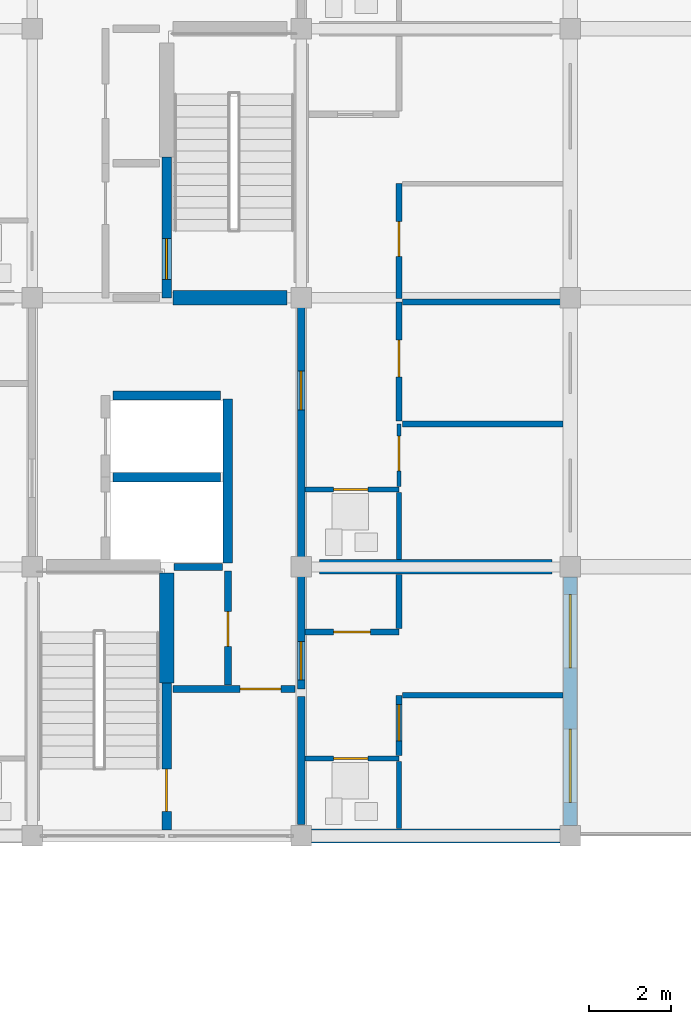
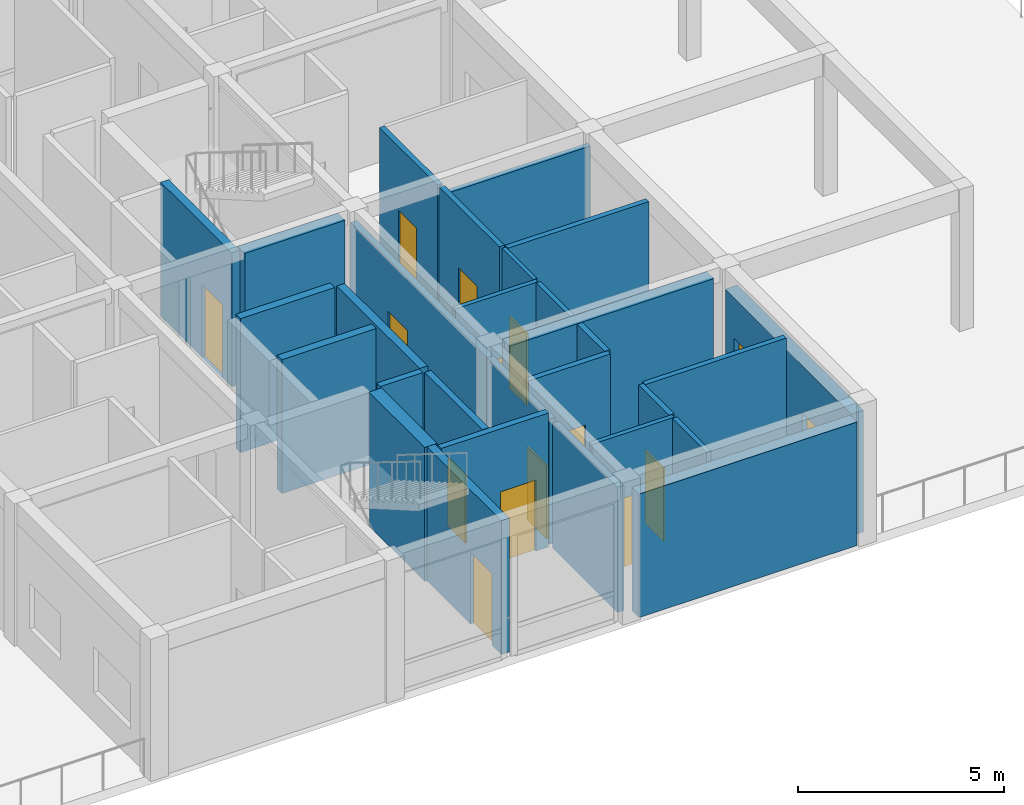
# One storey, part 77 of 92: 29 walls, 13 doors, 2 windows, 15 openings.
"""IFC4 building model written with IfcOpenShell, lengths in metres."""

from ifc_helpers import new_model, si_unit, direction, frame, frame_2d, origin, place, context, subcontext, project, spatial, rectangle, extrude, material, layer, layer_set, type_object, element, fill, save


model = new_model("IFC4")

# Units and contexts
model_context = context("Model", 3, precision=1e-05, world=origin(), true_north=direction((0.0, 1.0)))
body_context = subcontext(model_context, "Body", "Model", "MODEL_VIEW")
ifc_project = project(units=[si_unit("LENGTHUNIT", "METRE"), si_unit("AREAUNIT", "SQUARE_METRE"), si_unit("VOLUMEUNIT", "CUBIC_METRE"), si_unit("PLANEANGLEUNIT", "RADIAN"), si_unit("MASSUNIT", "GRAM", prefix="KILO")], contexts=[model_context])

# Site, building, storey
site_placement = place(None, origin())
site = spatial("IfcSite", under=ifc_project, at=site_placement, CompositionType="ELEMENT")
building_placement = place(site_placement, origin())
building = spatial("IfcBuilding", under=site, at=building_placement, Name="Kernevlak Ridge Housing Community", CompositionType="ELEMENT")
storey_placement = place(building_placement, frame((0.0, 0.0, 4.199951171875)))
storey = spatial("IfcBuildingStorey", under=building, at=storey_placement, Name="L01", CompositionType="ELEMENT", Elevation=4.199951171875)

# Wall, openings, windows
ifc_material_1 = material(Name="Concrete block masonry M10", Category="masonry")
ifc_layer_1 = layer(ifc_material_1, 0.340087890625, Name="Concrete block masonry M10")
ifc_layer_set_1 = layer_set([ifc_layer_1], Name="Concrete block masonry M10")
wall_type_1 = type_object("IfcWallType", Name="EW-04", PredefinedType="STANDARD", material=ifc_layer_set_1)
wall_1_placement = place(storey_placement, frame((145.800048828125, 15.85009765625, 0.0), z_axis=(0.0, 0.0, 1.0), x_axis=(0.0, 1.0, 0.0)))
wall_1 = element("IfcWall", 1, at=wall_1_placement, inside=storey, type_object=wall_type_1, Name="Exterior wall EW-04 L01 550", PredefinedType="STANDARD", context=body_context, shape_type="SweptSolid", body=[
    extrude(rectangle(XDim=6.099853515625, YDim=0.340087890625, at=frame_2d((3.0498046875, 0.0))), origin(), (0.0, 0.0, 1.0), 3.60009765625),
])
opening_1_placement = place(wall_1_placement, frame((0.574951171875, 0.0, 0.85009765625)))
opening_1 = element("IfcOpeningElement", 2, at=opening_1_placement, cuts=wall_1, Name="Opening WT-03", PredefinedType="OPENING", context=body_context, shape_type="SweptSolid", body=[
    extrude(rectangle(XDim=1.800048828125, YDim=1.35009765625, at=frame_2d((0.89990234375, 0.675048828125))), frame((0.0, 0.179931640625, 0.0), z_axis=(0.0, -1.0, 0.0), x_axis=(1.0, 0.0, 0.0)), (0.0, 0.0, 1.0), 0.360107421875),
])
opening_2_placement = place(wall_1_placement, frame((3.875, 0.0, 0.85009765625)))
opening_2 = element("IfcOpeningElement", 3, at=opening_2_placement, cuts=wall_1, Name="Opening WT-04", PredefinedType="OPENING", context=body_context, shape_type="SweptSolid", body=[
    extrude(rectangle(XDim=1.800048828125, YDim=1.550048828125, at=frame_2d((0.89990234375, 0.77490234375))), frame((0.0, 0.179931640625, 0.0), z_axis=(0.0, -1.0, 0.0), x_axis=(1.0, 0.0, 0.0)), (0.0, 0.0, 1.0), 0.360107421875),
])
ifc_material_2 = material(Name="Aluminium EN AW-6060 anodised and laminated glass", Category="aluminium")
window_type_1 = type_object("IfcWindowType", Name="WT-03", PartitioningType="SINGLE_PANEL", PredefinedType="WINDOW", material=ifc_material_2)
window_1_placement = place(opening_1_placement, origin())
window_1 = element("IfcWindow", 4, at=window_1_placement, inside=storey, type_object=window_type_1, Name="Window WT-03 L01 435", OverallHeight=1.35009765625, OverallWidth=1.800048828125, PartitioningType="SINGLE_PANEL", PredefinedType="WINDOW", context=body_context, shape_type="SweptSolid", body=[
    extrude(rectangle(XDim=1.800048828125, YDim=1.35009765625, at=frame_2d((0.89990234375, 0.675048828125))), frame((0.0, 0.030029296875, 0.0), z_axis=(0.0, -1.0, 0.0), x_axis=(1.0, 0.0, 0.0)), (0.0, 0.0, 1.0), 0.06005859375),
])
fill(opening_1, window_1)
window_type_2 = type_object("IfcWindowType", Name="WT-04", PartitioningType="SINGLE_PANEL", PredefinedType="WINDOW", material=ifc_material_2)
window_2_placement = place(opening_2_placement, origin())
window_2 = element("IfcWindow", 5, at=window_2_placement, inside=storey, type_object=window_type_2, Name="Window WT-04 L01 436", OverallHeight=1.550048828125, OverallWidth=1.800048828125, PartitioningType="SINGLE_PANEL", PredefinedType="WINDOW", context=body_context, shape_type="SweptSolid", body=[
    extrude(rectangle(XDim=1.800048828125, YDim=1.550048828125, at=frame_2d((0.89990234375, 0.77490234375))), frame((0.0, 0.030029296875, 0.0), z_axis=(0.0, -1.0, 0.0), x_axis=(1.0, 0.0, 0.0)), (0.0, 0.0, 1.0), 0.06005859375),
])
fill(opening_2, window_2)

# Wall
wall_2_placement = place(storey_placement, frame((139.449951171875, 15.60009765625, 0.0), z_axis=(0.0, 0.0, 1.0), x_axis=(1.0, 0.0, 0.0)))
element("IfcWall", 6, at=wall_2_placement, inside=storey, type_object=wall_type_1, Name="Exterior wall EW-04 L01 555", PredefinedType="STANDARD", context=body_context, shape_type="SweptSolid", body=[
    extrude(rectangle(XDim=6.10009765625, YDim=0.340087890625, at=frame_2d((3.050048828125, 0.0))), origin(), (0.0, 0.0, 1.0), 3.650146484375),
])

# Wall, opening, door
ifc_material_3 = material(Name="Concrete C35/45", Category="concrete")
ifc_layer_2 = layer(ifc_material_3, 0.22509765625, Name="Concrete C35/45")
ifc_layer_set_2 = layer_set([ifc_layer_2], Name="Concrete C35/45")
wall_type_2 = type_object("IfcWallType", Name="PW-01", PredefinedType="STANDARD", material=ifc_layer_set_2)
wall_3_placement = place(storey_placement, frame((135.89990234375, 15.75, 0.0), z_axis=(0.0, 0.0, 1.0), x_axis=(0.0, 1.0, 0.0)))
wall_3 = element("IfcWall", 7, at=wall_3_placement, inside=storey, type_object=wall_type_2, Name="Interior wall PW-01 WAL-INT-L01-2162", PredefinedType="STANDARD", context=body_context, shape_type="SweptSolid", body=[
    extrude(rectangle(XDim=3.60009765625, YDim=0.22509765625, at=frame_2d((1.800048828125, 0.0))), origin(), (0.0, 0.0, 1.0), 3.9599609375),
])
opening_3_placement = place(wall_3_placement, frame((0.449951171875, 0.0, 0.0)))
opening_3 = element("IfcOpeningElement", 8, at=opening_3_placement, cuts=wall_3, Name="Opening E097", PredefinedType="OPENING", context=body_context, shape_type="SweptSolid", body=[
    extrude(rectangle(XDim=1.0400390625, YDim=2.1201171875, at=frame_2d((0.52001953125, 1.06005859375))), frame((0.0, 0.12255859375, 0.0), z_axis=(0.0, -1.0, 0.0), x_axis=(1.0, 0.0, 0.0)), (0.0, 0.0, 1.0), 0.2451171875),
])
ifc_material_4 = material(Name="Fire-rated sheet steel leaf", Category="steel")
door_type_1 = type_object("IfcDoorType", Name="DT-16", OperationType="NOTDEFINED", PredefinedType="DOOR", material=ifc_material_4)
door_1_placement = place(opening_3_placement, origin())
door_1 = element("IfcDoor", 9, at=door_1_placement, inside=storey, type_object=door_type_1, Name="Block C Stair 1 fire door E097", OperationType="SINGLE_SWING_RIGHT", OverallHeight=2.1201171875, OverallWidth=1.0400390625, PredefinedType="DOOR", context=body_context, shape_type="SweptSolid", body=[
    extrude(rectangle(XDim=1.0400390625, YDim=2.1201171875, at=frame_2d((0.52001953125, 1.06005859375))), frame((0.0, 0.02490234375, 0.0), z_axis=(0.0, -1.0, 0.0), x_axis=(1.0, 0.0, 0.0)), (0.0, 0.0, 1.0), 0.050048828125),
])
fill(opening_3, door_1)

# Walls
wall_4_placement = place(storey_placement, frame((137.39990234375, 22.297607421875, 0.0), z_axis=(0.0, 0.0, 1.0), x_axis=(0.0, 1.0, 0.0)))
element("IfcWall", 10, at=wall_4_placement, inside=storey, type_object=wall_type_2, Name="Interior wall PW-01 WAL-INT-L01-2168", PredefinedType="STANDARD", context=body_context, shape_type="SweptSolid", body=[
    extrude(rectangle(XDim=4.0224609375, YDim=0.22509765625, at=frame_2d((2.01123046875, 0.0))), origin(), (0.0, 0.0, 1.0), 3.9599609375),
])
for number, where, z_axis, x_axis, name in (
    (11, (134.580078125, 24.39990234375, 0.0), (0.0, 0.0, 1.0), (1.0, 0.0, 0.0), "Interior wall PW-01 WAL-INT-L01-2170"),
    (12, (134.580078125, 26.39990234375, 0.0), (0.0, 0.0, 1.0), (1.0, 0.0, 0.0), "Interior wall PW-01 WAL-INT-L01-2171"),
):
    element("IfcWall", number, at=place(storey_placement, frame(where, z_axis=z_axis, x_axis=x_axis)), inside=storey, type_object=wall_type_2, Name=name, PredefinedType="STANDARD", context=body_context, shape_type="SweptSolid", body=[
        extrude(rectangle(XDim=2.639892578125, YDim=0.22509765625, at=frame_2d((1.31982421875, 0.0))), origin(), (0.0, 0.0, 1.0), 3.9599609375),
    ])

# Wall, opening, door
wall_5_placement = place(storey_placement, frame((135.89990234375, 28.800048828125, 0.0), z_axis=(0.0, 0.0, 1.0), x_axis=(0.0, 1.0, 0.0)))
wall_5 = element("IfcWall", 13, at=wall_5_placement, inside=storey, type_object=wall_type_2, Name="Interior wall PW-01 WAL-INT-L01-2172", PredefinedType="STANDARD", context=body_context, shape_type="SweptSolid", body=[
    extrude(rectangle(XDim=3.449951171875, YDim=0.22509765625, at=frame_2d((1.72509765625, 0.0))), origin(), (0.0, 0.0, 1.0), 3.9599609375),
])
opening_4_placement = place(wall_5_placement, frame((0.449951171875, 0.0, 0.0)))
opening_4 = element("IfcOpeningElement", 14, at=opening_4_placement, cuts=wall_5, Name="Opening E100", PredefinedType="OPENING", context=body_context, shape_type="SweptSolid", body=[
    extrude(rectangle(XDim=1.0, YDim=2.159912109375, at=frame_2d((0.5, 1.080078125))), frame((0.0, 0.12255859375, 0.0), z_axis=(0.0, -1.0, 0.0), x_axis=(1.0, 0.0, 0.0)), (0.0, 0.0, 1.0), 0.2451171875),
])
door_type_2 = type_object("IfcDoorType", Name="DT-15", OperationType="NOTDEFINED", PredefinedType="DOOR", material=ifc_material_4)
door_2_placement = place(opening_4_placement, origin())
door_2 = element("IfcDoor", 15, at=door_2_placement, inside=storey, type_object=door_type_2, Name="Block C Stair 2 fire door E100", OperationType="SINGLE_SWING_LEFT", OverallHeight=2.159912109375, OverallWidth=1.0, PredefinedType="DOOR", context=body_context, shape_type="SweptSolid", body=[
    extrude(rectangle(XDim=1.0, YDim=2.159912109375, at=frame_2d((0.5, 1.080078125))), frame((0.0, 0.02490234375, 0.0), z_axis=(0.0, -1.0, 0.0), x_axis=(1.0, 0.0, 0.0)), (0.0, 0.0, 1.0), 0.050048828125),
])
fill(opening_4, door_2)

ifc_layer_3 = layer(ifc_material_1, 0.175048828125, Name="Concrete block masonry M10")
ifc_layer_set_3 = layer_set([ifc_layer_3], Name="Concrete block masonry M10")
wall_type_3 = type_object("IfcWallType", Name="PW-02", PredefinedType="PARTITIONING", material=ifc_layer_set_3)
wall_6_placement = place(storey_placement, frame((136.050048828125, 19.199951171875, 0.0), z_axis=(0.0, 0.0, 1.0), x_axis=(1.0, 0.0, 0.0)))
wall_6 = element("IfcWall", 16, at=wall_6_placement, inside=storey, type_object=wall_type_3, Name="Interior wall PW-02 WAL-INT-L01-2163", PredefinedType="PARTITIONING", context=body_context, shape_type="SweptSolid", body=[
    extrude(rectangle(XDim=3.0, YDim=0.175048828125, at=frame_2d((1.5, 0.0))), origin(), (0.0, 0.0, 1.0), 3.9599609375),
])
opening_5_placement = place(wall_6_placement, frame((1.64990234375, 0.0, 0.0)))
opening_5 = element("IfcOpeningElement", 17, at=opening_5_placement, cuts=wall_6, Name="Opening E098", PredefinedType="OPENING", context=body_context, shape_type="SweptSolid", body=[
    extrude(rectangle(XDim=1.0, YDim=2.10009765625, at=frame_2d((0.5, 1.050048828125))), frame((0.0, 0.097412109375, 0.0), z_axis=(0.0, -1.0, 0.0), x_axis=(1.0, 0.0, 0.0)), (0.0, 0.0, 1.0), 0.195068359375),
])
door_type_3 = type_object("IfcDoorType", Name="DT-05", OperationType="NOTDEFINED", PredefinedType="DOOR", material=ifc_material_4)
door_3_placement = place(opening_5_placement, origin())
door_3 = element("IfcDoor", 18, at=door_3_placement, inside=storey, type_object=door_type_3, Name="Block C Firefighting lobby 1 door E098", OperationType="SINGLE_SWING_LEFT", OverallHeight=2.10009765625, OverallWidth=1.0, PredefinedType="DOOR", context=body_context, shape_type="SweptSolid", body=[
    extrude(rectangle(XDim=1.0, YDim=2.10009765625, at=frame_2d((0.5, 1.050048828125))), frame((0.0, 0.02490234375, 0.0), z_axis=(0.0, -1.0, 0.0), x_axis=(1.0, 0.0, 0.0)), (0.0, 0.0, 1.0), 0.050048828125),
])
fill(opening_5, door_3)

wall_7_placement = place(storey_placement, frame((137.39990234375, 19.300048828125, 0.0), z_axis=(0.0, 0.0, 1.0), x_axis=(0.0, 1.0, 0.0)))
wall_7 = element("IfcWall", 19, at=wall_7_placement, inside=storey, type_object=wall_type_3, Name="Interior wall PW-02 WAL-INT-L01-2164", PredefinedType="PARTITIONING", context=body_context, shape_type="SweptSolid", body=[
    extrude(rectangle(XDim=2.800048828125, YDim=0.175048828125, at=frame_2d((1.39990234375, 0.0))), origin(), (0.0, 0.0, 1.0), 3.9599609375),
])
opening_6_placement = place(wall_7_placement, frame((0.949951171875, 0.0, 0.0)))
opening_6 = element("IfcOpeningElement", 20, at=opening_6_placement, cuts=wall_7, Name="Opening E099", PredefinedType="OPENING", context=body_context, shape_type="SweptSolid", body=[
    extrude(rectangle(XDim=0.85009765625, YDim=2.0, at=frame_2d((0.425048828125, 1.0))), frame((0.0, 0.097412109375, 0.0), z_axis=(0.0, -1.0, 0.0), x_axis=(1.0, 0.0, 0.0)), (0.0, 0.0, 1.0), 0.195068359375),
])
door_type_4 = type_object("IfcDoorType", Name="DT-07", OperationType="NOTDEFINED", PredefinedType="DOOR", material=ifc_material_4)
door_4_placement = place(opening_6_placement, origin())
door_4 = element("IfcDoor", 21, at=door_4_placement, inside=storey, type_object=door_type_4, Name="Block C Riser shaft door E099", OperationType="SINGLE_SWING_RIGHT", OverallHeight=2.0, OverallWidth=0.85009765625, PredefinedType="DOOR", context=body_context, shape_type="SweptSolid", body=[
    extrude(rectangle(XDim=0.85009765625, YDim=2.0, at=frame_2d((0.425048828125, 1.0))), frame((0.0, 0.02490234375, 0.0), z_axis=(0.0, -1.0, 0.0), x_axis=(1.0, 0.0, 0.0)), (0.0, 0.0, 1.0), 0.050048828125),
])
fill(opening_6, door_4)

# Walls
wall_8_placement = place(storey_placement, frame((136.080078125, 22.199951171875, 0.0), z_axis=(0.0, 0.0, 1.0), x_axis=(1.0, 0.0, 0.0)))
element("IfcWall", 22, at=wall_8_placement, inside=storey, type_object=wall_type_3, Name="Interior wall PW-02 WAL-INT-L01-2165", PredefinedType="PARTITIONING", context=body_context, shape_type="SweptSolid", body=[
    extrude(rectangle(XDim=1.18994140625, YDim=0.175048828125, at=frame_2d((0.594970703125, 0.0))), origin(), (0.0, 0.0, 1.0), 3.9599609375),
])
wall_9_placement = place(storey_placement, frame((139.199951171875, 15.8798828125, 0.0), z_axis=(0.0, 0.0, 1.0), x_axis=(0.0, 1.0, 0.0)))
element("IfcWall", 23, at=wall_9_placement, inside=storey, type_object=wall_type_3, Name="Interior wall PW-02 WAL-INT-L01-2203", PredefinedType="PARTITIONING", context=body_context, shape_type="SweptSolid", body=[
    extrude(rectangle(XDim=3.14013671875, YDim=0.175048828125, at=frame_2d((1.570068359375, 0.0))), origin(), (0.0, 0.0, 1.0), 3.699951171875),
])

# Wall, opening, door
wall_10_placement = place(storey_placement, frame((139.199951171875, 19.199951171875, 0.0), z_axis=(0.0, 0.0, 1.0), x_axis=(0.0, 1.0, 0.0)))
wall_10 = element("IfcWall", 24, at=wall_10_placement, inside=storey, type_object=wall_type_3, Name="Interior wall PW-02 WAL-INT-L01-2204", PredefinedType="PARTITIONING", context=body_context, shape_type="SweptSolid", body=[
    extrude(rectangle(XDim=3.0, YDim=0.175048828125, at=frame_2d((1.5, 0.0))), origin(), (0.0, 0.0, 1.0), 3.699951171875),
])
opening_7_placement = place(wall_10_placement, frame((0.219970703125, 0.0, 0.0)))
opening_7 = element("IfcOpeningElement", 25, at=opening_7_placement, cuts=wall_10, Name="Opening E116", PredefinedType="OPENING", context=body_context, shape_type="SweptSolid", body=[
    extrude(rectangle(XDim=0.949951171875, YDim=2.159912109375, at=frame_2d((0.47509765625, 1.080078125))), frame((0.0, 0.097412109375, 0.0), z_axis=(0.0, -1.0, 0.0), x_axis=(1.0, 0.0, 0.0)), (0.0, 0.0, 1.0), 0.195068359375),
])
ifc_material_5 = material(Name="Hardwood timber solid-core fire leaf", Category="wood")
door_type_5 = type_object("IfcDoorType", Name="DT-02", OperationType="NOTDEFINED", PredefinedType="DOOR", material=ifc_material_5)
door_5_placement = place(opening_7_placement, origin())
door_5 = element("IfcDoor", 26, at=door_5_placement, inside=storey, type_object=door_type_5, Name="Flat C0121 entrance fire door E116", OperationType="SINGLE_SWING_LEFT", OverallHeight=2.159912109375, OverallWidth=0.949951171875, PredefinedType="DOOR", context=body_context, shape_type="SweptSolid", body=[
    extrude(rectangle(XDim=0.949951171875, YDim=2.159912109375, at=frame_2d((0.47509765625, 1.080078125))), frame((0.0, 0.02490234375, 0.0), z_axis=(0.0, -1.0, 0.0), x_axis=(1.0, 0.0, 0.0)), (0.0, 0.0, 1.0), 0.050048828125),
])
fill(opening_7, door_5)

wall_11_placement = place(storey_placement, frame((139.199951171875, 22.199951171875, 0.0), z_axis=(0.0, 0.0, 1.0), x_axis=(0.0, 1.0, 0.0)))
wall_11 = element("IfcWall", 27, at=wall_11_placement, inside=storey, type_object=wall_type_3, Name="Interior wall PW-02 WAL-INT-L01-2211", PredefinedType="PARTITIONING", context=body_context, shape_type="SweptSolid", body=[
    extrude(rectangle(XDim=6.60009765625, YDim=0.175048828125, at=frame_2d((3.300048828125, 0.0))), origin(), (0.0, 0.0, 1.0), 3.699951171875),
])
opening_8_placement = place(wall_11_placement, frame((3.85009765625, 0.0, 0.0)))
opening_8 = element("IfcOpeningElement", 28, at=opening_8_placement, cuts=wall_11, Name="Opening E120", PredefinedType="OPENING", context=body_context, shape_type="SweptSolid", body=[
    extrude(rectangle(XDim=0.949951171875, YDim=2.159912109375, at=frame_2d((0.47509765625, 1.080078125))), frame((0.0, 0.097412109375, 0.0), z_axis=(0.0, -1.0, 0.0), x_axis=(1.0, 0.0, 0.0)), (0.0, 0.0, 1.0), 0.195068359375),
])
door_6_placement = place(opening_8_placement, origin())
door_6 = element("IfcDoor", 29, at=door_6_placement, inside=storey, type_object=door_type_5, Name="Flat C0122 entrance fire door E120", OperationType="SINGLE_SWING_LEFT", OverallHeight=2.159912109375, OverallWidth=0.949951171875, PredefinedType="DOOR", context=body_context, shape_type="SweptSolid", body=[
    extrude(rectangle(XDim=0.949951171875, YDim=2.159912109375, at=frame_2d((0.47509765625, 1.080078125))), frame((0.0, 0.02490234375, 0.0), z_axis=(0.0, -1.0, 0.0), x_axis=(1.0, 0.0, 0.0)), (0.0, 0.0, 1.0), 0.050048828125),
])
fill(opening_8, door_6)

ifc_layer_4 = layer(ifc_material_1, 0.14501953125, Name="Concrete block masonry M10")
ifc_layer_set_4 = layer_set([ifc_layer_4], Name="Concrete block masonry M10")
wall_type_4 = type_object("IfcWallType", Name="PW-03", PredefinedType="PARTITIONING", material=ifc_layer_set_4)
wall_12_placement = place(storey_placement, frame((141.60009765625, 17.572509765625, 0.0), z_axis=(0.0, 0.0, 1.0), x_axis=(0.0, 1.0, 0.0)))
wall_12 = element("IfcWall", 30, at=wall_12_placement, inside=storey, type_object=wall_type_4, Name="Interior wall PW-03 WAL-INT-L01-2209", PredefinedType="PARTITIONING", context=body_context, shape_type="SweptSolid", body=[
    extrude(rectangle(XDim=1.4775390625, YDim=0.14501953125, at=frame_2d((0.73876953125, 0.0))), origin(), (0.0, 0.0, 1.0), 3.9599609375),
])
opening_9_placement = place(wall_12_placement, frame((0.35009765625, 0.0, 0.0)))
opening_9 = element("IfcOpeningElement", 31, at=opening_9_placement, cuts=wall_12, Name="Opening E119", PredefinedType="OPENING", context=body_context, shape_type="SweptSolid", body=[
    extrude(rectangle(XDim=0.89990234375, YDim=2.159912109375, at=frame_2d((0.449951171875, 1.080078125))), frame((0.0, 0.08251953125, 0.0), z_axis=(0.0, -1.0, 0.0), x_axis=(1.0, 0.0, 0.0)), (0.0, 0.0, 1.0), 0.1650390625),
])
ifc_material_6 = material(Name="Hardwood timber leaf", Category="wood")
door_type_6 = type_object("IfcDoorType", Name="DT-22", OperationType="NOTDEFINED", PredefinedType="DOOR", material=ifc_material_6)
door_7_placement = place(opening_9_placement, origin())
door_7 = element("IfcDoor", 32, at=door_7_placement, inside=storey, type_object=door_type_6, Name="Flat C0121 bedroom door E119", OperationType="SINGLE_SWING_RIGHT", OverallHeight=2.159912109375, OverallWidth=0.89990234375, PredefinedType="DOOR", context=body_context, shape_type="SweptSolid", body=[
    extrude(rectangle(XDim=0.89990234375, YDim=2.159912109375, at=frame_2d((0.449951171875, 1.080078125))), frame((0.0, 0.02490234375, 0.0), z_axis=(0.0, -1.0, 0.0), x_axis=(1.0, 0.0, 0.0)), (0.0, 0.0, 1.0), 0.050048828125),
])
fill(opening_9, door_7)

# Walls
wall_13_placement = place(storey_placement, frame((141.6826171875, 19.050048828125, 0.0), z_axis=(0.0, 0.0, 1.0), x_axis=(1.0, 0.0, 0.0)))
element("IfcWall", 33, at=wall_13_placement, inside=storey, type_object=wall_type_4, Name="Interior wall PW-03 WAL-INT-L01-2210", PredefinedType="PARTITIONING", context=body_context, shape_type="SweptSolid", body=[
    extrude(rectangle(XDim=3.9375, YDim=0.14501953125, at=frame_2d((1.96875, 0.0))), origin(), (0.0, 0.0, 1.0), 3.9599609375),
])
wall_14_placement = place(storey_placement, frame((141.679931640625, 25.699951171875, 0.0), z_axis=(0.0, 0.0, 1.0), x_axis=(1.0, 0.0, 0.0)))
element("IfcWall", 34, at=wall_14_placement, inside=storey, type_object=wall_type_4, Name="Interior wall PW-03 WAL-INT-L01-2217", PredefinedType="PARTITIONING", context=body_context, shape_type="SweptSolid", body=[
    extrude(rectangle(XDim=3.940185546875, YDim=0.14501953125, at=frame_2d((1.97021484375, 0.0))), origin(), (0.0, 0.0, 1.0), 3.9599609375),
])

# Wall, opening, door
wall_15_placement = place(storey_placement, frame((141.60009765625, 25.782470703125, 0.0), z_axis=(0.0, 0.0, 1.0), x_axis=(0.0, 1.0, 0.0)))
wall_15 = element("IfcWall", 35, at=wall_15_placement, inside=storey, type_object=wall_type_4, Name="Interior wall PW-03 WAL-INT-L01-2218", PredefinedType="PARTITIONING", context=body_context, shape_type="SweptSolid", body=[
    extrude(rectangle(XDim=2.91748046875, YDim=0.14501953125, at=frame_2d((1.458740234375, 0.0))), origin(), (0.0, 0.0, 1.0), 3.9599609375),
])
opening_10_placement = place(wall_15_placement, frame((1.074951171875, 0.0, 0.0)))
opening_10 = element("IfcOpeningElement", 36, at=opening_10_placement, cuts=wall_15, Name="Opening E124", PredefinedType="OPENING", context=body_context, shape_type="SweptSolid", body=[
    extrude(rectangle(XDim=0.909912109375, YDim=2.139892578125, at=frame_2d((0.455078125, 1.06982421875))), frame((0.0, 0.08251953125, 0.0), z_axis=(0.0, -1.0, 0.0), x_axis=(1.0, 0.0, 0.0)), (0.0, 0.0, 1.0), 0.1650390625),
])
door_type_7 = type_object("IfcDoorType", Name="DT-31", OperationType="NOTDEFINED", PredefinedType="DOOR", material=ifc_material_6)
door_8_placement = place(opening_10_placement, origin())
door_8 = element("IfcDoor", 37, at=door_8_placement, inside=storey, type_object=door_type_7, Name="Flat C0122 bedroom door E124", OperationType="SINGLE_SWING_LEFT", OverallHeight=2.139892578125, OverallWidth=0.909912109375, PredefinedType="DOOR", context=body_context, shape_type="SweptSolid", body=[
    extrude(rectangle(XDim=0.909912109375, YDim=2.139892578125, at=frame_2d((0.455078125, 1.06982421875))), frame((0.0, 0.02490234375, 0.0), z_axis=(0.0, -1.0, 0.0), x_axis=(1.0, 0.0, 0.0)), (0.0, 0.0, 1.0), 0.050048828125),
])
fill(opening_10, door_8)

# Wall
wall_16_placement = place(storey_placement, frame((141.6826171875, 28.699951171875, 0.0), z_axis=(0.0, 0.0, 1.0), x_axis=(1.0, 0.0, 0.0)))
element("IfcWall", 38, at=wall_16_placement, inside=storey, type_object=wall_type_4, Name="Interior wall PW-03 WAL-INT-L01-2219", PredefinedType="PARTITIONING", context=body_context, shape_type="SweptSolid", body=[
    extrude(rectangle(XDim=4.037353515625, YDim=0.14501953125, at=frame_2d((2.0185546875, 0.0))), origin(), (0.0, 0.0, 1.0), 3.75),
])

# Wall, opening, door
wall_17_placement = place(storey_placement, frame((141.60009765625, 28.782470703125, 0.0), z_axis=(0.0, 0.0, 1.0), x_axis=(0.0, 1.0, 0.0)))
wall_17 = element("IfcWall", 39, at=wall_17_placement, inside=storey, type_object=wall_type_4, Name="Interior wall PW-03 WAL-INT-L01-2220", PredefinedType="PARTITIONING", context=body_context, shape_type="SweptSolid", body=[
    extrude(rectangle(XDim=2.817626953125, YDim=0.14501953125, at=frame_2d((1.40869140625, 0.0))), origin(), (0.0, 0.0, 1.0), 3.9599609375),
])
opening_11_placement = place(wall_17_placement, frame((1.02490234375, 0.0, 0.0)))
opening_11 = element("IfcOpeningElement", 40, at=opening_11_placement, cuts=wall_17, Name="Opening E125", PredefinedType="OPENING", context=body_context, shape_type="SweptSolid", body=[
    extrude(rectangle(XDim=0.8701171875, YDim=2.080078125, at=frame_2d((0.43505859375, 1.0400390625))), frame((0.0, 0.08251953125, 0.0), z_axis=(0.0, -1.0, 0.0), x_axis=(1.0, 0.0, 0.0)), (0.0, 0.0, 1.0), 0.1650390625),
])
door_type_8 = type_object("IfcDoorType", Name="DT-32", OperationType="NOTDEFINED", PredefinedType="DOOR", material=ifc_material_6)
door_9_placement = place(opening_11_placement, origin())
door_9 = element("IfcDoor", 41, at=door_9_placement, inside=storey, type_object=door_type_8, Name="Flat C0122 bedroom door E125", OperationType="SINGLE_SWING_RIGHT", OverallHeight=2.080078125, OverallWidth=0.8701171875, PredefinedType="DOOR", context=body_context, shape_type="SweptSolid", body=[
    extrude(rectangle(XDim=0.8701171875, YDim=2.080078125, at=frame_2d((0.43505859375, 1.0400390625))), frame((0.0, 0.02490234375, 0.0), z_axis=(0.0, -1.0, 0.0), x_axis=(1.0, 0.0, 0.0)), (0.0, 0.0, 1.0), 0.050048828125),
])
fill(opening_11, door_9)

ifc_material_7 = material(Name="Gypsum plasterboard EN 520", Category="gypsum")
ifc_layer_5 = layer(ifc_material_7, 0.125, Name="Gypsum plasterboard EN 520")
ifc_layer_set_5 = layer_set([ifc_layer_5], Name="Gypsum plasterboard EN 520")
wall_type_5 = type_object("IfcWallType", Name="PW-04", PredefinedType="PARTITIONING", material=ifc_layer_set_5)
wall_18_placement = place(storey_placement, frame((139.297607421875, 17.5, 0.0), z_axis=(0.0, 0.0, 1.0), x_axis=(1.0, 0.0, 0.0)))
wall_18 = element("IfcWall", 42, at=wall_18_placement, inside=storey, type_object=wall_type_5, Name="Interior wall PW-04 WAL-INT-L01-2205", PredefinedType="PARTITIONING", context=body_context, shape_type="SweptSolid", body=[
    extrude(rectangle(XDim=2.302490234375, YDim=0.125, at=frame_2d((1.1513671875, 0.0))), origin(), (0.0, 0.0, 1.0), 3.9599609375),
])
opening_12_placement = place(wall_18_placement, frame((0.699951171875, 0.0, 0.0)))
opening_12 = element("IfcOpeningElement", 43, at=opening_12_placement, cuts=wall_18, Name="Opening E117", PredefinedType="OPENING", context=body_context, shape_type="SweptSolid", body=[
    extrude(rectangle(XDim=0.840087890625, YDim=2.06005859375, at=frame_2d((0.419921875, 1.030029296875))), frame((0.0, 0.072509765625, 0.0), z_axis=(0.0, -1.0, 0.0), x_axis=(1.0, 0.0, 0.0)), (0.0, 0.0, 1.0), 0.14501953125),
])
ifc_material_8 = material(Name="Hardwood timber moisture-resistant leaf", Category="wood")
door_type_9 = type_object("IfcDoorType", Name="DT-27", OperationType="NOTDEFINED", PredefinedType="DOOR", material=ifc_material_8)
door_10_placement = place(opening_12_placement, origin())
door_10 = element("IfcDoor", 44, at=door_10_placement, inside=storey, type_object=door_type_9, Name="Flat C0121 bathroom door E117", OperationType="SINGLE_SWING_RIGHT", OverallHeight=2.06005859375, OverallWidth=0.840087890625, PredefinedType="DOOR", context=body_context, shape_type="SweptSolid", body=[
    extrude(rectangle(XDim=0.840087890625, YDim=2.06005859375, at=frame_2d((0.419921875, 1.030029296875))), frame((0.0, 0.02490234375, 0.0), z_axis=(0.0, -1.0, 0.0), x_axis=(1.0, 0.0, 0.0)), (0.0, 0.0, 1.0), 0.050048828125),
])
fill(opening_12, door_10)

# Wall
wall_19_placement = place(storey_placement, frame((141.60009765625, 15.780029296875, 0.0), z_axis=(0.0, 0.0, 1.0), x_axis=(0.0, 1.0, 0.0)))
element("IfcWall", 45, at=wall_19_placement, inside=storey, type_object=wall_type_5, Name="Interior wall PW-04 WAL-INT-L01-2206", PredefinedType="PARTITIONING", context=body_context, shape_type="SweptSolid", body=[
    extrude(rectangle(XDim=1.639892578125, YDim=0.125, at=frame_2d((0.81982421875, 0.0))), origin(), (0.0, 0.0, 1.0), 3.9599609375),
])

# Wall, opening, door
wall_20_placement = place(storey_placement, frame((139.297607421875, 24.10009765625, 0.0), z_axis=(0.0, 0.0, 1.0), x_axis=(1.0, 0.0, 0.0)))
wall_20 = element("IfcWall", 46, at=wall_20_placement, inside=storey, type_object=wall_type_5, Name="Interior wall PW-04 WAL-INT-L01-2212", PredefinedType="PARTITIONING", context=body_context, shape_type="SweptSolid", body=[
    extrude(rectangle(XDim=2.302490234375, YDim=0.125, at=frame_2d((1.1513671875, 0.0))), origin(), (0.0, 0.0, 1.0), 3.9599609375),
])
opening_13_placement = place(wall_20_placement, frame((0.699951171875, 0.0, 0.0)))
opening_13 = element("IfcOpeningElement", 47, at=opening_13_placement, cuts=wall_20, Name="Opening E121", PredefinedType="OPENING", context=body_context, shape_type="SweptSolid", body=[
    extrude(rectangle(XDim=0.840087890625, YDim=2.06005859375, at=frame_2d((0.419921875, 1.030029296875))), frame((0.0, 0.072509765625, 0.0), z_axis=(0.0, -1.0, 0.0), x_axis=(1.0, 0.0, 0.0)), (0.0, 0.0, 1.0), 0.14501953125),
])
door_11_placement = place(opening_13_placement, origin())
door_11 = element("IfcDoor", 48, at=door_11_placement, inside=storey, type_object=door_type_9, Name="Flat C0122 bathroom door E121", OperationType="SINGLE_SWING_RIGHT", OverallHeight=2.06005859375, OverallWidth=0.840087890625, PredefinedType="DOOR", context=body_context, shape_type="SweptSolid", body=[
    extrude(rectangle(XDim=0.840087890625, YDim=2.06005859375, at=frame_2d((0.419921875, 1.030029296875))), frame((0.0, 0.02490234375, 0.0), z_axis=(0.0, -1.0, 0.0), x_axis=(1.0, 0.0, 0.0)), (0.0, 0.0, 1.0), 0.050048828125),
])
fill(opening_13, door_11)

# Wall
wall_21_placement = place(storey_placement, frame((141.60009765625, 22.385009765625, 0.0), z_axis=(0.0, 0.0, 1.0), x_axis=(0.0, 1.0, 0.0)))
element("IfcWall", 49, at=wall_21_placement, inside=storey, type_object=wall_type_5, Name="Interior wall PW-04 WAL-INT-L01-2213", PredefinedType="PARTITIONING", context=body_context, shape_type="SweptSolid", body=[
    extrude(rectangle(XDim=1.635009765625, YDim=0.125, at=frame_2d((0.8173828125, 0.0))), origin(), (0.0, 0.0, 1.0), 3.9599609375),
])

# Wall, opening, door
ifc_layer_6 = layer(ifc_material_7, 0.155029296875, Name="Gypsum plasterboard EN 520")
ifc_layer_set_6 = layer_set([ifc_layer_6], Name="Gypsum plasterboard EN 520")
wall_type_6 = type_object("IfcWallType", Name="PW-05", PredefinedType="PARTITIONING", material=ifc_layer_set_6)
wall_22_placement = place(storey_placement, frame((139.297607421875, 20.60009765625, 0.0), z_axis=(0.0, 0.0, 1.0), x_axis=(1.0, 0.0, 0.0)))
wall_22 = element("IfcWall", 50, at=wall_22_placement, inside=storey, type_object=wall_type_6, Name="Interior wall PW-05 WAL-INT-L01-2207", PredefinedType="PARTITIONING", context=body_context, shape_type="SweptSolid", body=[
    extrude(rectangle(XDim=2.302490234375, YDim=0.155029296875, at=frame_2d((1.1513671875, 0.0))), origin(), (0.0, 0.0, 1.0), 3.9599609375),
])
opening_14_placement = place(wall_22_placement, frame((0.699951171875, 0.0, 0.0)))
opening_14 = element("IfcOpeningElement", 51, at=opening_14_placement, cuts=wall_22, Name="Opening E118", PredefinedType="OPENING", context=body_context, shape_type="SweptSolid", body=[
    extrude(rectangle(XDim=0.89990234375, YDim=2.10009765625, at=frame_2d((0.449951171875, 1.050048828125))), frame((0.0, 0.08740234375, 0.0), z_axis=(0.0, -1.0, 0.0), x_axis=(1.0, 0.0, 0.0)), (0.0, 0.0, 1.0), 0.175048828125),
])
door_type_10 = type_object("IfcDoorType", Name="DT-21", OperationType="NOTDEFINED", PredefinedType="DOOR", material=ifc_material_6)
door_12_placement = place(opening_14_placement, origin())
door_12 = element("IfcDoor", 52, at=door_12_placement, inside=storey, type_object=door_type_10, Name="Flat C0121 kitchen door E118", OperationType="SINGLE_SWING_LEFT", OverallHeight=2.10009765625, OverallWidth=0.89990234375, PredefinedType="DOOR", context=body_context, shape_type="SweptSolid", body=[
    extrude(rectangle(XDim=0.89990234375, YDim=2.10009765625, at=frame_2d((0.449951171875, 1.050048828125))), frame((0.0, 0.02490234375, 0.0), z_axis=(0.0, -1.0, 0.0), x_axis=(1.0, 0.0, 0.0)), (0.0, 0.0, 1.0), 0.050048828125),
])
fill(opening_14, door_12)

# Wall
wall_23_placement = place(storey_placement, frame((141.60009765625, 20.6875, 0.0), z_axis=(0.0, 0.0, 1.0), x_axis=(0.0, 1.0, 0.0)))
element("IfcWall", 53, at=wall_23_placement, inside=storey, type_object=wall_type_6, Name="Interior wall PW-05 WAL-INT-L01-2208", PredefinedType="PARTITIONING", context=body_context, shape_type="SweptSolid", body=[
    extrude(rectangle(XDim=1.327392578125, YDim=0.155029296875, at=frame_2d((0.66357421875, 0.0))), origin(), (0.0, 0.0, 1.0), 3.9599609375),
])

# Wall, opening, door
ifc_layer_7 = layer(ifc_material_7, 0.10498046875, Name="Gypsum plasterboard EN 520")
ifc_layer_set_7 = layer_set([ifc_layer_7], Name="Gypsum plasterboard EN 520")
wall_type_7 = type_object("IfcWallType", Name="PW-06", PredefinedType="PARTITIONING", material=ifc_layer_set_7)
wall_24_placement = place(storey_placement, frame((141.60009765625, 24.172607421875, 0.0), z_axis=(0.0, 0.0, 1.0), x_axis=(0.0, 1.0, 0.0)))
wall_24 = element("IfcWall", 54, at=wall_24_placement, inside=storey, type_object=wall_type_7, Name="Interior wall PW-06 WAL-INT-L01-2216", PredefinedType="PARTITIONING", context=body_context, shape_type="SweptSolid", body=[
    extrude(rectangle(XDim=1.52734375, YDim=0.10498046875, at=frame_2d((0.763671875, 0.0))), origin(), (0.0, 0.0, 1.0), 3.9599609375),
])
opening_15_placement = place(wall_24_placement, frame((0.375, 0.0, 0.0)))
opening_15 = element("IfcOpeningElement", 55, at=opening_15_placement, cuts=wall_24, Name="Opening E123", PredefinedType="OPENING", context=body_context, shape_type="SweptSolid", body=[
    extrude(rectangle(XDim=0.860107421875, YDim=2.1201171875, at=frame_2d((0.43017578125, 1.06005859375))), frame((0.0, 0.0625, 0.0), z_axis=(0.0, -1.0, 0.0), x_axis=(1.0, 0.0, 0.0)), (0.0, 0.0, 1.0), 0.125),
])
door_type_11 = type_object("IfcDoorType", Name="DT-28", OperationType="NOTDEFINED", PredefinedType="DOOR", material=ifc_material_6)
door_13_placement = place(opening_15_placement, origin())
door_13 = element("IfcDoor", 56, at=door_13_placement, inside=storey, type_object=door_type_11, Name="Flat C0122 bedroom door E123", OperationType="SINGLE_SWING_RIGHT", OverallHeight=2.1201171875, OverallWidth=0.860107421875, PredefinedType="DOOR", context=body_context, shape_type="SweptSolid", body=[
    extrude(rectangle(XDim=0.860107421875, YDim=2.1201171875, at=frame_2d((0.43017578125, 1.06005859375))), frame((0.0, 0.02490234375, 0.0), z_axis=(0.0, -1.0, 0.0), x_axis=(1.0, 0.0, 0.0)), (0.0, 0.0, 1.0), 0.050048828125),
])
fill(opening_15, door_13)

# Walls
ifc_material_9 = material(Name="Concrete C40/50", Category="concrete")
ifc_layer_8 = layer(ifc_material_9, 0.35009765625, Name="Concrete C40/50")
ifc_layer_set_8 = layer_set([ifc_layer_8], Name="Concrete C40/50")
wall_type_8 = type_object("IfcWallType", Name="SW-01", PredefinedType="SHEAR", material=ifc_layer_set_8)
wall_25_placement = place(storey_placement, frame((135.89990234375, 19.35009765625, 0.0), z_axis=(0.0, 0.0, 1.0), x_axis=(0.0, 1.0, 0.0)))
element("IfcWall", 57, at=wall_25_placement, inside=storey, type_object=wall_type_8, Name="Shear wall SW-01 Block C L01 382", PredefinedType="SHEAR", context=body_context, shape_type="SweptSolid", body=[
    extrude(rectangle(XDim=2.699951171875, YDim=0.35009765625, at=frame_2d((1.35009765625, 0.0))), origin(), (0.0, 0.0, 1.0), 3.9599609375),
])
wall_26_placement = place(storey_placement, frame((136.050048828125, 28.800048828125, 0.0), z_axis=(0.0, 0.0, 1.0), x_axis=(1.0, 0.0, 0.0)))
element("IfcWall", 58, at=wall_26_placement, inside=storey, type_object=wall_type_8, Name="Shear wall SW-01 Block C L01 386", PredefinedType="SHEAR", context=body_context, shape_type="SweptSolid", body=[
    extrude(rectangle(XDim=2.800048828125, YDim=0.35009765625, at=frame_2d((1.39990234375, 0.0))), origin(), (0.0, 0.0, 1.0), 3.9599609375),
])
wall_27_placement = place(storey_placement, frame((139.64990234375, 22.199951171875, 0.0), z_axis=(0.0, 0.0, 1.0), x_axis=(1.0, 0.0, 0.0)))
element("IfcWall", 59, at=wall_27_placement, inside=storey, type_object=wall_type_8, Name="Shear wall SW-01 Block C L01 389", PredefinedType="SHEAR", context=body_context, shape_type="SweptSolid", body=[
    extrude(rectangle(XDim=5.7001953125, YDim=0.35009765625, at=frame_2d((2.85009765625, 0.0))), origin(), (0.0, 0.0, 1.0), 3.9599609375),
])

save(model, "model.ifc")
